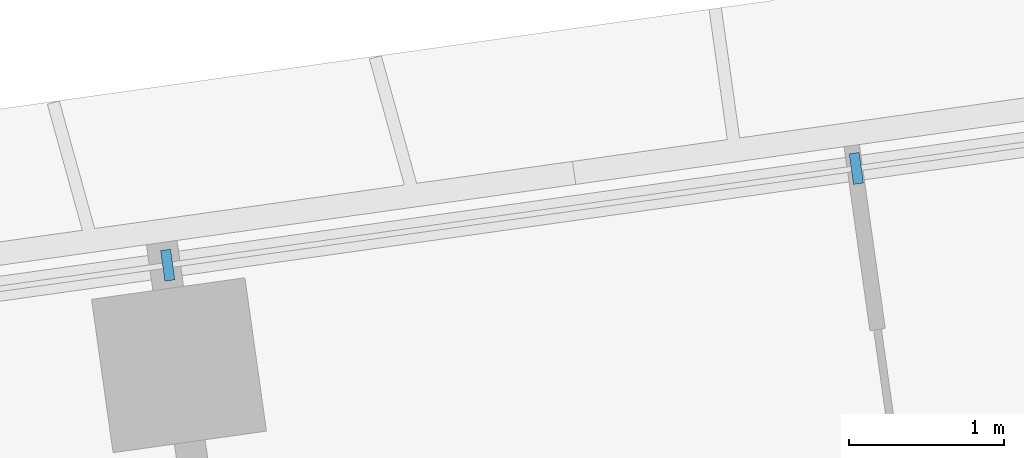
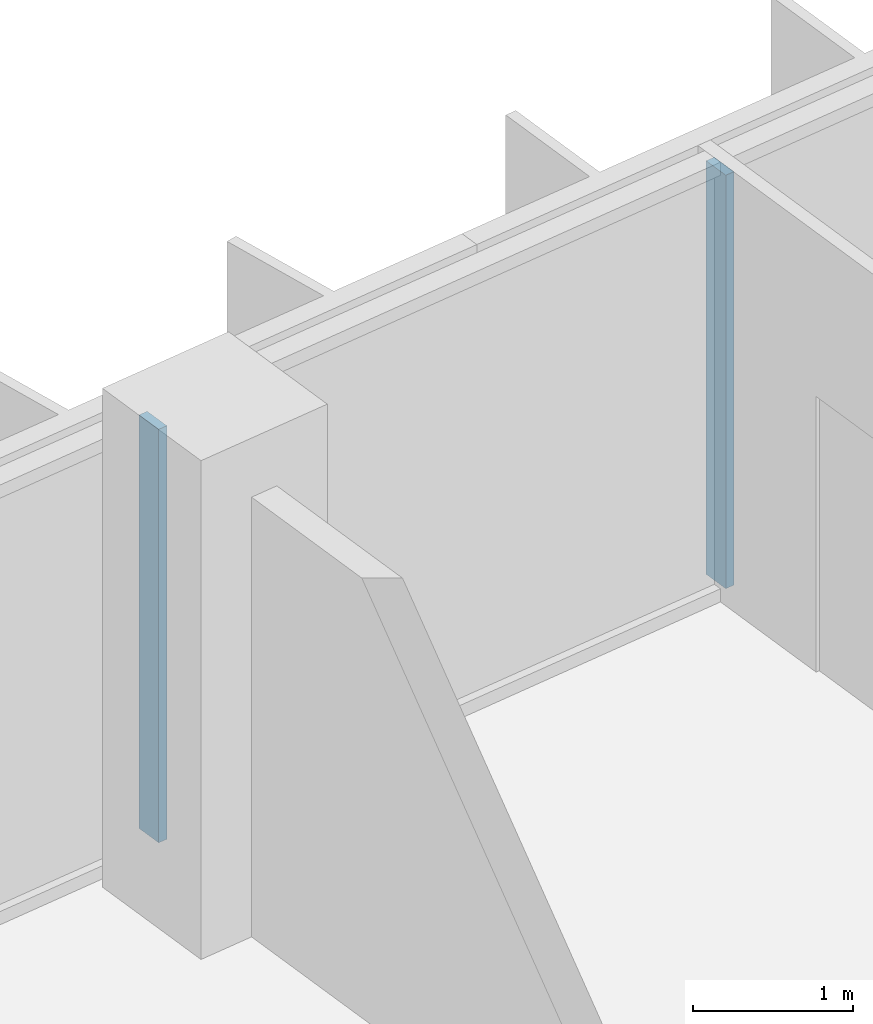
# One storey, part 8 of 25: 2 members, 1 element without a shape of its own.
"""IFC4 building model written with IfcOpenShell, lengths in metres."""

from ifc_helpers import new_model, si_unit, direction, frame, origin, origin_2d, place, context, subcontext, project, spatial, rectangle, extrude, material, material_profile, profile_set, type_object, element, aggregate, save


model = new_model("IFC4")

# Units and contexts
model_context = context("Model", 3, precision=1e-05, world=origin(), true_north=direction((0.0, 1.0)))
body_context = subcontext(model_context, "Body", "Model", "MODEL_VIEW")
ifc_project = project(units=[si_unit("LENGTHUNIT", "METRE"), si_unit("AREAUNIT", "SQUARE_METRE"), si_unit("VOLUMEUNIT", "CUBIC_METRE"), si_unit("PLANEANGLEUNIT", "RADIAN"), si_unit("MASSUNIT", "GRAM", prefix="KILO")], contexts=[model_context])

# Site, building, storey
site_placement = place(None, origin())
site = spatial("IfcSite", under=ifc_project, at=site_placement, CompositionType="ELEMENT")
building_placement = place(site_placement, origin())
building = spatial("IfcBuilding", under=site, at=building_placement, Name="Mirante Cascada Hotel Towers", CompositionType="ELEMENT")
storey_placement = place(building_placement, frame((0.0, 0.0, 58.5)))
storey = spatial("IfcBuildingStorey", under=building, at=storey_placement, Name="L11", CompositionType="ELEMENT", Elevation=58.5)

# Curtain wall, members
ifc_material_1 = material(Name="Aluminium mullion and transom frame with clear laminated glass", Category="aluminium")
curtain_wall_type = type_object("IfcCurtainWallType", Name="Ribbon curtain wall ECW1", PredefinedType="NOTDEFINED", material=ifc_material_1)
curtain_wall_placement = place(storey_placement, origin())
curtain_wall = element("IfcCurtainWall", 1, at=curtain_wall_placement, inside=storey, type_object=curtain_wall_type, Name="Front ribbon wall T2 L11", PredefinedType="NOTDEFINED")
ifc_material_2 = material(Name="Anodised aluminium extrusion", Category="aluminium")
ifc_material_profile = material_profile(ifc_material_2, rectangle(XDim=0.2, YDim=0.065, at=origin_2d()), Name="ECW1 MULLION 65x200")
ifc_profile_set = profile_set([ifc_material_profile], Name="Anodised aluminium extrusion")
member_type = type_object("IfcMemberType", Name="ECW1 mullion 65x200", PredefinedType="MULLION", material=ifc_profile_set)
member_1_placement = place(storey_placement, frame((58.5788, 21.0517, 0.1), z_axis=(0.0, 0.0, 1.0), x_axis=(0.1391731, -0.9902681, 0.0)))
member_1 = element("IfcMember", 2, at=member_1_placement, type_object=member_type, Name="ECW1 mullion 9", PredefinedType="MULLION", context=body_context, shape_type="SweptSolid", body=[
    extrude(rectangle(XDim=0.2, YDim=0.065, at=origin_2d()), origin(), (0.0, 0.0, 1.0), 3.15),
])
member_2_placement = place(storey_placement, frame((54.1314, 20.4267, 0.1), z_axis=(0.0, 0.0, 1.0), x_axis=(0.1391731, -0.9902681, 0.0)))
member_2 = element("IfcMember", 3, at=member_2_placement, type_object=member_type, Name="ECW1 mullion 10", PredefinedType="MULLION", context=body_context, shape_type="SweptSolid", body=[
    extrude(rectangle(XDim=0.2, YDim=0.065, at=origin_2d()), origin(), (0.0, 0.0, 1.0), 3.15),
])
aggregate(curtain_wall, [member_1, member_2])

save(model, "model.ifc")
